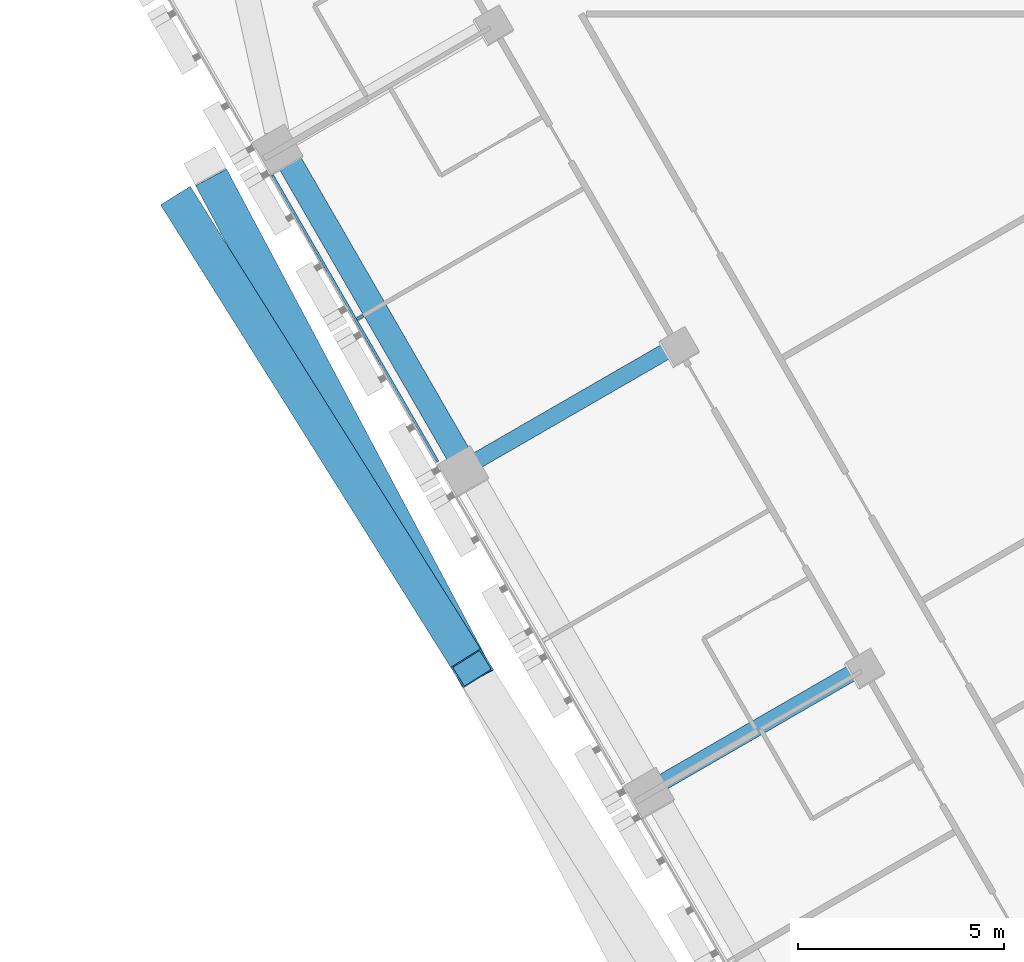
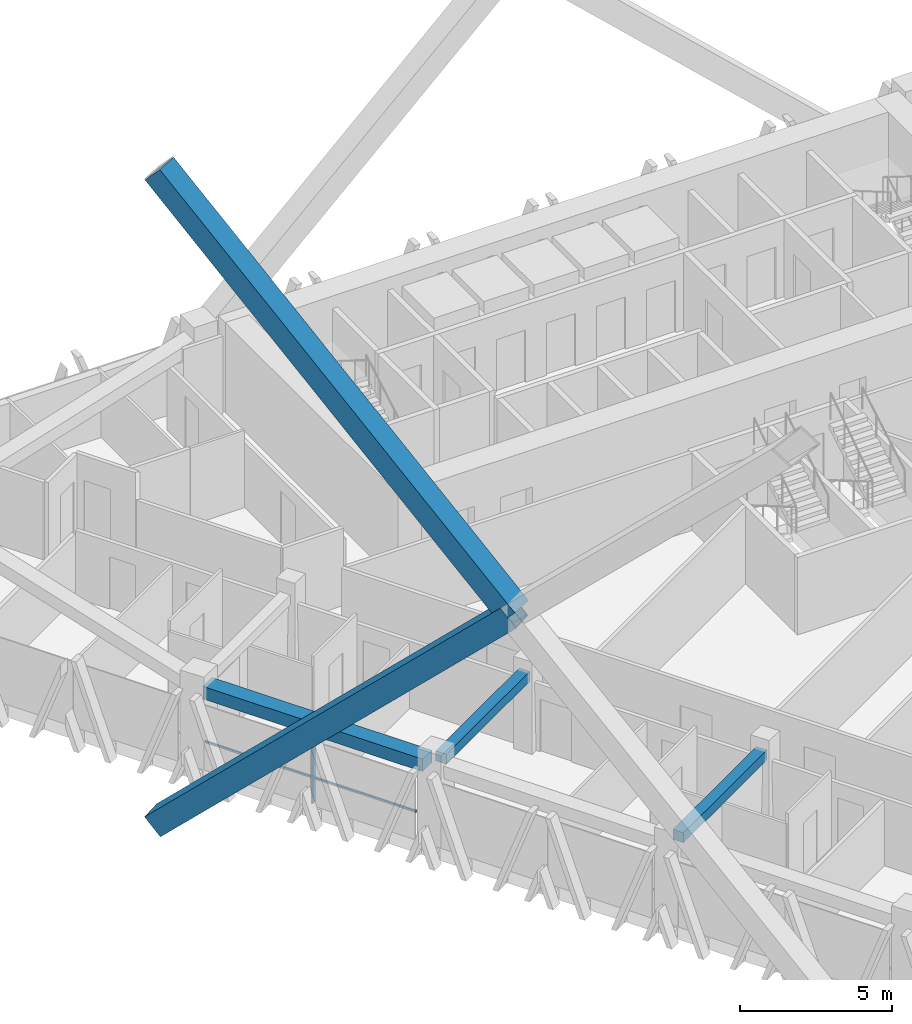
# One storey, part 4 of 19: 4 members, 3 beams, 1 element without a shape of its own.
"""IFC4 building model written with IfcOpenShell, lengths in metres."""

from ifc_helpers import new_model, si_unit, direction, frame, origin, origin_2d, place, context, subcontext, project, spatial, rectangle, hollow_rectangle, extrude, material, layer, layer_set, material_profile, profile_set, type_object, element, aggregate, save


model = new_model("IFC4")

# Units and contexts
model_context = context("Model", 3, precision=1e-05, world=origin(), true_north=direction((0.0, 1.0)))
body_context = subcontext(model_context, "Body", "Model", "MODEL_VIEW")
ifc_project = project(units=[si_unit("LENGTHUNIT", "METRE"), si_unit("AREAUNIT", "SQUARE_METRE"), si_unit("VOLUMEUNIT", "CUBIC_METRE"), si_unit("PLANEANGLEUNIT", "RADIAN"), si_unit("MASSUNIT", "GRAM", prefix="KILO")], contexts=[model_context])

# Site, building, storey
site_placement = place(None, origin())
site = spatial("IfcSite", under=ifc_project, at=site_placement, CompositionType="ELEMENT")
building_placement = place(site_placement, origin())
building = spatial("IfcBuilding", under=site, at=building_placement, Name="Altiplano Prism Tower", CompositionType="ELEMENT")
storey_placement = place(building_placement, frame((0.0, 0.0, 70.199951171875)))
storey = spatial("IfcBuildingStorey", under=building, at=storey_placement, Name="L17", CompositionType="ELEMENT", Elevation=70.199951171875)

# Curtain wall, members
ifc_material_1 = material(Name="Aluminium and glass", Category="aluminium")
ifc_layer = layer(ifc_material_1, 0.280029296875)
ifc_layer_set = layer_set([ifc_layer], Name="Aluminium and glass")
curtain_wall_type = type_object("IfcCurtainWallType", Name="CW1 typical co-living unitised curtain wall", PredefinedType="NOTDEFINED", material=ifc_layer_set)
curtain_wall_placement = place(storey_placement, origin())
curtain_wall = element("IfcCurtainWall", 1, at=curtain_wall_placement, inside=storey, type_object=curtain_wall_type, Name="CW1 curtain wall south-west face L17", PredefinedType="NOTDEFINED")
ifc_material_2 = material(Name="Aluminium", Category="aluminium")
ifc_material_profile_1 = material_profile(ifc_material_2, rectangle(XDim=0.179931640625, YDim=0.06494140625, at=origin_2d()), Name="CW1 mullion 65 x 180")
ifc_profile_set_1 = profile_set([ifc_material_profile_1], Name="Aluminium")
member_type_1 = type_object("IfcMemberType", Name="CW1 mullion 65 x 180", PredefinedType="MULLION", material=ifc_profile_set_1)
member_1_placement = place(storey_placement, frame((63.43798828125, 83.0517578125, 0.0), z_axis=(0.0, 0.0, 1.0), x_axis=(0.86602540313, 0.500000001134, 0.0)))
member_1 = element("IfcMember", 2, at=member_1_placement, type_object=member_type_1, Name="CW1 mullion", PredefinedType="MULLION", context=body_context, shape_type="SweptSolid", body=[
    extrude(rectangle(XDim=0.179931640625, YDim=0.06494140625, at=origin_2d()), origin(), (0.0, 0.0, 1.0), 2.60009765625),
])
ifc_material_profile_2 = material_profile(ifc_material_2, rectangle(XDim=0.06005859375, YDim=0.080078125, at=origin_2d()), Name="CW1 transom 80 x 60")
ifc_profile_set_2 = profile_set([ifc_material_profile_2], Name="Aluminium")
member_type_2 = type_object("IfcMemberType", Name="CW1 transom 80 x 60", PredefinedType="USERDEFINED", material=ifc_profile_set_2)
member_2_placement = place(storey_placement, frame((61.309326171875, 86.49853515625, 1.10009765625), z_axis=(0.500012318566, -0.86601829154, 0.0), x_axis=(0.86601829154, 0.500012318566, 0.0)))
member_2 = element("IfcMember", 3, at=member_2_placement, type_object=member_type_2, Name="CW1 transom", ObjectType="TRANSOM", PredefinedType="USERDEFINED", context=body_context, shape_type="SweptSolid", body=[
    extrude(rectangle(XDim=0.06005859375, YDim=0.080078125, at=origin_2d()), origin(), (0.0, 0.0, 1.0), 8.019775390625),
])
aggregate(curtain_wall, [member_1, member_2])

# Beam
ifc_material_3 = material(Name="Concrete C60/75", Category="concrete")
ifc_material_profile_3 = material_profile(ifc_material_3, rectangle(XDim=0.60009765625, YDim=0.5, at=origin_2d()), Name="Edge beam 600x500")
ifc_profile_set_3 = profile_set([ifc_material_profile_3], Name="Concrete C60/75")
beam_type_1 = type_object("IfcBeamType", Name="Edge beam 600x500", PredefinedType="SPANDREL", material=ifc_profile_set_3)
beam_placement = place(storey_placement, frame((61.657958984375, 86.931640625, 2.85009765625), z_axis=(0.500014701701, -0.866016915587, 0.0), x_axis=(0.866016915587, 0.500014701701, 0.0)))
element("IfcBeam", 4, at=beam_placement, inside=storey, type_object=beam_type_1, Name="Edge beam P11-P12 L18", PredefinedType="SPANDREL", context=body_context, shape_type="SweptSolid", body=[
    extrude(rectangle(XDim=0.60009765625, YDim=0.5, at=origin_2d()), origin(), (0.0, 0.0, 1.0), 8.340087890625),
])

# Members
ifc_material_4 = material(Name="Steel S355", Category="steel")
ifc_material_profile_4 = material_profile(ifc_material_4, hollow_rectangle(XDim=0.85009765625, YDim=0.85009765625, WallThickness=0.0400390625, at=origin_2d()), Name="Mega brace Box 850x850x40")
ifc_profile_set_4 = profile_set([ifc_material_profile_4], Name="Steel S355")
member_type_3 = type_object("IfcMemberType", Name="Mega brace Box 850x850x40", PredefinedType="BRACE", material=ifc_profile_set_4)
member_3_placement = place(storey_placement, frame((59.1181640625, 85.75390625, -0.849853515625), z_axis=(0.383338978098, -0.611100429695, 0.692536997349), x_axis=(0.847124167105, 0.531394999512, 0.0)))
element("IfcMember", 5, at=member_3_placement, inside=storey, type_object=member_type_3, Name="Mega brace 2.1.1", PredefinedType="BRACE", context=body_context, shape_type="SweptSolid", body=[
    extrude(hollow_rectangle(XDim=0.85009765625, YDim=0.85009765625, WallThickness=0.0400390625, at=origin_2d()), origin(), (0.0, 0.0, 1.0), 18.33837890625),
])
member_4_placement = place(storey_placement, frame((66.14794921875, 74.54736328125, 11.85009765625), z_axis=(-0.345133141437, 0.649545688362, 0.677475839726), x_axis=(-0.883080796706, -0.469220957002, 0.0)))
element("IfcMember", 6, at=member_4_placement, inside=storey, type_object=member_type_3, Name="Mega brace 2.1.4", PredefinedType="BRACE", context=body_context, shape_type="SweptSolid", body=[
    extrude(hollow_rectangle(XDim=0.85009765625, YDim=0.85009765625, WallThickness=0.0400390625, at=origin_2d()), origin(), (0.0, 0.0, 1.0), 18.7060546875),
])

# Beams
ifc_material_profile_5 = material_profile(ifc_material_3, rectangle(XDim=0.39990234375, YDim=0.39990234375, at=origin_2d()), Name="Tie beam 400x400")
ifc_profile_set_5 = profile_set([ifc_material_profile_5], Name="Concrete C60/75")
beam_type_2 = type_object("IfcBeamType", Name="Tie beam 400x400", PredefinedType="BEAM", material=ifc_profile_set_5)
for number, where, z_axis, x_axis, name in (
    (7, (71.033203125, 82.333251953125, 2.900146484375), (-0.866012292785, -0.50002270823, 0.0), (0.50002270823, -0.866012292785, 0.0), "Tie beam I12 L18"),
    (8, (75.533203125, 74.5390625, 2.900146484375), (-0.866012292785, -0.50002270823, 0.0), (0.50002270823, -0.866012292785, 0.0), "Tie beam I13 L18"),
):
    element("IfcBeam", number, at=place(storey_placement, frame(where, z_axis=z_axis, x_axis=x_axis)), inside=storey, type_object=beam_type_2, Name=name, PredefinedType="BEAM", context=body_context, shape_type="SweptSolid", body=[
        extrude(rectangle(XDim=0.39990234375, YDim=0.39990234375, at=origin_2d()), origin(), (0.0, 0.0, 1.0), 5.489990234375),
    ])

save(model, "model.ifc")
